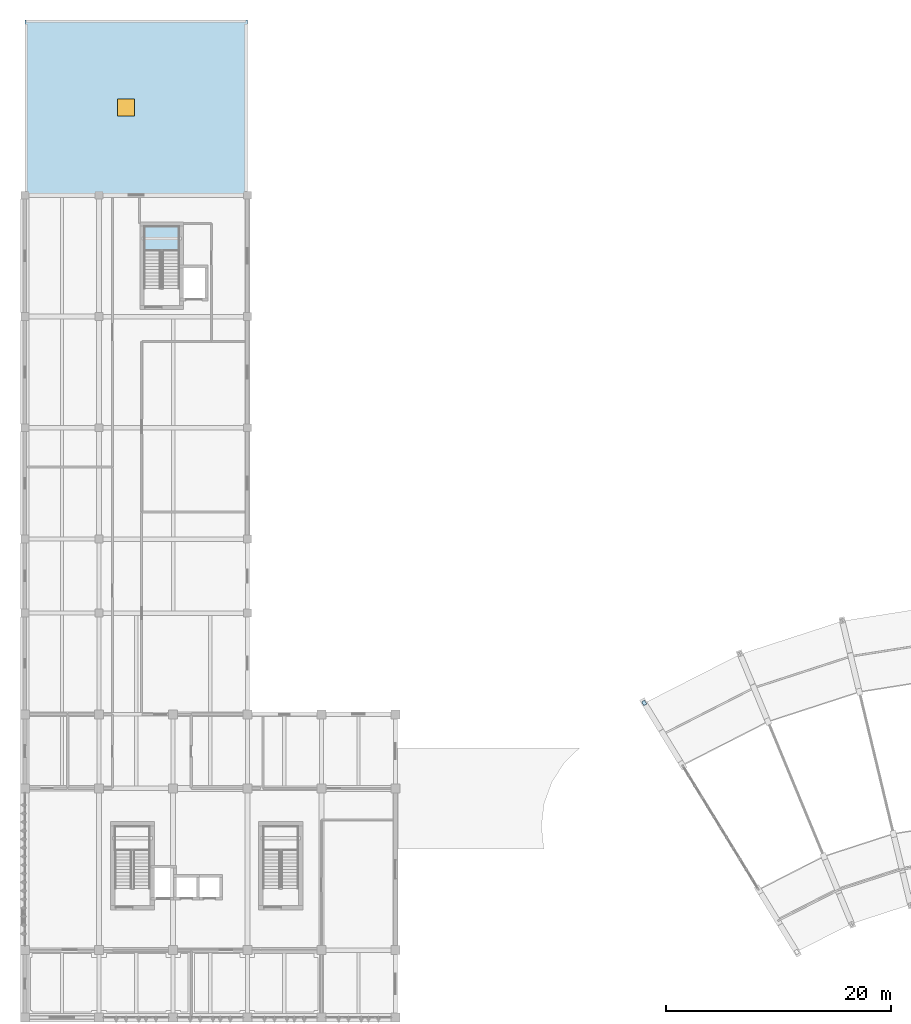
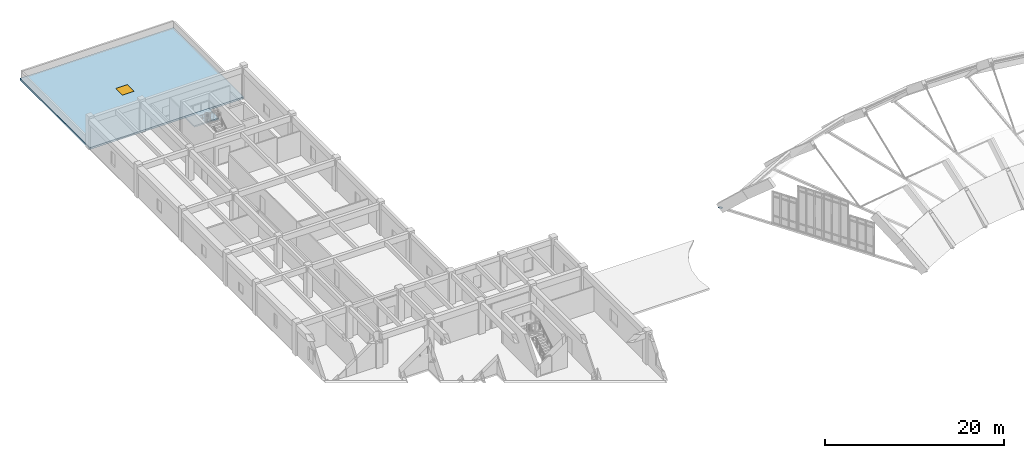
# One storey, part 20 of 34: 2 slabs, 1 plate, 1 window, 1 opening, 1 element without a shape of its own.
"""IFC4 building model written with IfcOpenShell, lengths in metres."""

from ifc_helpers import new_model, si_unit, direction, frame, origin, origin_2d, place, context, subcontext, project, spatial, polyline, rectangle, outline, extrude, material, layer, layer_set, type_object, element, fill, aggregate, save


model = new_model("IFC4")

# Units and contexts
model_context = context("Model", 3, precision=1e-05, world=origin(), true_north=direction((0.0, 1.0)))
body_context = subcontext(model_context, "Body", "Model", "MODEL_VIEW")
ifc_project = project(units=[si_unit("LENGTHUNIT", "METRE"), si_unit("AREAUNIT", "SQUARE_METRE"), si_unit("VOLUMEUNIT", "CUBIC_METRE"), si_unit("PLANEANGLEUNIT", "RADIAN"), si_unit("MASSUNIT", "GRAM", prefix="KILO")], contexts=[model_context])

# Site, building, storey
site_placement = place(None, origin())
site = spatial("IfcSite", under=ifc_project, at=site_placement, CompositionType="ELEMENT")
building_placement = place(site_placement, origin())
building = spatial("IfcBuilding", under=site, at=building_placement, Name="Miralva Faculty of Natural Sciences", CompositionType="ELEMENT")
storey_placement = place(building_placement, frame((0.0, 0.0, 24.0)))
storey = spatial("IfcBuildingStorey", under=building, at=storey_placement, Name="L05", CompositionType="ELEMENT", Elevation=24.0)

# Plate
ifc_material_1 = material(Name="Steel S355", Category="steel")
ifc_layer_1 = layer(ifc_material_1, 0.02001953125, Name="PLT-BP03")
ifc_layer_set_1 = layer_set([ifc_layer_1], Name="Steel S355")
plate_type = type_object("IfcPlateType", Name="PLT-BP03", PredefinedType="SHEET", material=ifc_layer_set_1)
plate_placement = place(storey_placement, frame((58.127685546875, 31.010986328125, -0.02001953125), z_axis=(0.0, 0.0, 1.0), x_axis=(-0.522498564716, 0.852640164354, 0.0)))
element("IfcPlate", 1, at=plate_placement, inside=storey, type_object=plate_type, Name="Shell springing bearing plate EB-01-OUT", PredefinedType="SHEET", context=body_context, shape_type="SweptSolid", body=[
    extrude(rectangle(XDim=0.39990234375, YDim=0.300048828125, at=origin_2d()), origin(), (0.0, 0.0, 1.0), 0.02001953125),
])

# Stair, slab
ifc_material_2 = material(Name="Concrete C40/50", Category="concrete")
stair_type = type_object("IfcStairType", Name="ST-CORE-450", PredefinedType="HALF_TURN_STAIR", material=ifc_material_2)
stair_placement = place(storey_placement, origin())
stair = element("IfcStair", 2, at=stair_placement, inside=storey, type_object=stair_type, Name="Exit Stair Core C2 (ST-03) L05", PredefinedType="HALF_TURN_STAIR")
ifc_layer_2 = layer(ifc_material_2, 0.18994140625, Name="SL-LD01")
ifc_layer_set_2 = layer_set([ifc_layer_2], Name="Concrete C40/50")
slab_type_1 = type_object("IfcSlabType", Name="SL-LD01", PredefinedType="LANDING", material=ifc_layer_set_2)
slab_1_placement = place(storey_placement, frame((0.0, 0.0, 2.06005859375)))
slab_1 = element("IfcSlab", 3, at=slab_1_placement, type_object=slab_type_1, Name="ST-03 landing 1", PredefinedType="LANDING", context=body_context, shape_type="SweptSolid", body=[
    extrude(outline(polyline([(16.75, 71.260009765625), (16.75, 73.449951171875), (13.60009765625, 73.449951171875), (13.60009765625, 71.260009765625), (16.75, 71.260009765625)])), origin(), (0.0, 0.0, 1.0), 0.18994140625),
])
aggregate(stair, [slab_1])

# Slab, opening, window
ifc_layer_3 = layer(ifc_material_2, 0.25, Name="SL-RF01")
ifc_layer_set_3 = layer_set([ifc_layer_3], Name="Concrete C40/50")
slab_type_2 = type_object("IfcSlabType", Name="SL-RF01", PredefinedType="ROOF", material=ifc_layer_set_3)
slab_2_placement = place(storey_placement, frame((0.0, 0.0, -0.25)))
slab_2 = element("IfcSlab", 4, at=slab_2_placement, inside=storey, type_object=slab_type_2, Name="Mid Laboratory Maintenance Roof", PredefinedType="ROOF", context=body_context, shape_type="SweptSolid", body=[
    extrude(outline(polyline([(22.800048828125, 76.199951171875), (3.0, 76.199951171875), (3.0, 91.800048828125), (22.800048828125, 91.800048828125), (22.800048828125, 76.199951171875)])), origin(), (0.0, 0.0, 1.0), 0.25),
])
opening_placement = place(slab_2_placement, frame((12.0, 84.0, 0.0)))
opening = element("IfcOpeningElement", 5, at=opening_placement, cuts=slab_2, Name="Opening SK-04", PredefinedType="OPENING", context=body_context, shape_type="SweptSolid", body=[
    extrude(rectangle(XDim=1.5, YDim=1.5, at=origin_2d()), frame((0.0, 0.0, -0.010009765625)), (0.0, 0.0, 1.0), 0.27001953125),
])
ifc_material_3 = material(Name="Laminated solar-control glass", Category="glass")
window_type = type_object("IfcWindowType", Name="WN-LDM1", PartitioningType="SINGLE_PANEL", PredefinedType="LIGHTDOME", material=ifc_material_3)
window_placement = place(opening_placement, frame((0.0, 0.0, 0.199951171875)))
window = element("IfcWindow", 6, at=window_placement, inside=storey, type_object=window_type, Name="Roof opening SK-04 L05-9", OverallHeight=1.5, OverallWidth=1.5, PartitioningType="SINGLE_PANEL", PredefinedType="LIGHTDOME", context=body_context, shape_type="SweptSolid", body=[
    extrude(rectangle(XDim=1.5, YDim=1.5, at=origin_2d()), origin(), (0.0, 0.0, 1.0), 0.050048828125),
])
fill(opening, window)

save(model, "model.ifc")
